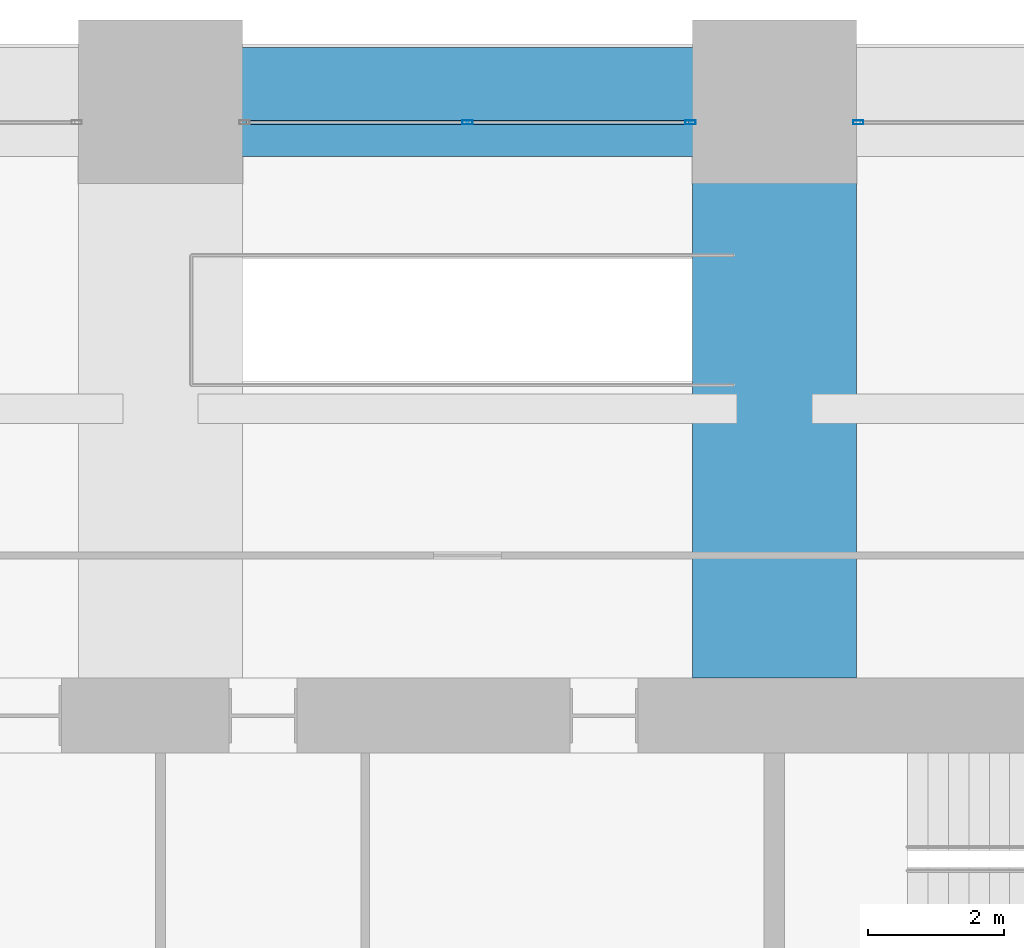
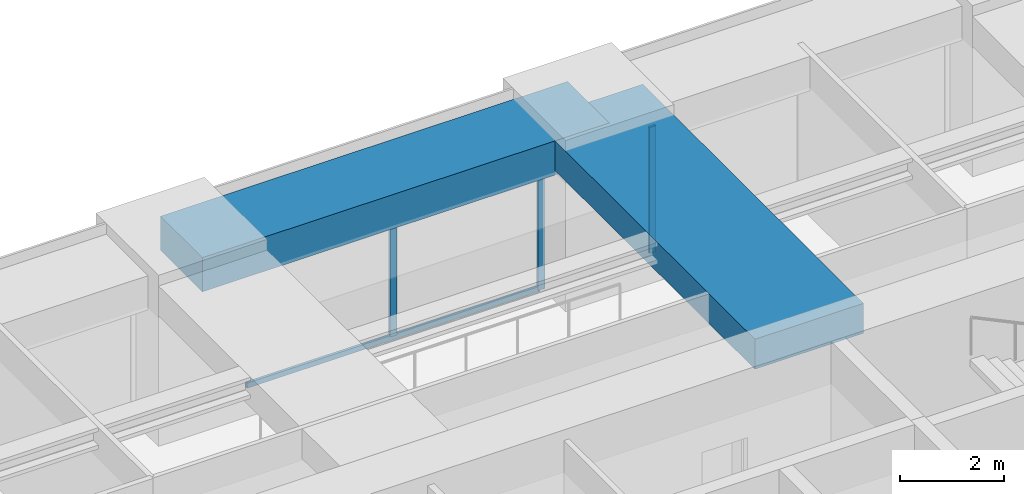
# One storey, part 25 of 35: 4 members, 2 beams, 2 elements without a shape of their own.
"""IFC4 building model written with IfcOpenShell, lengths in metres."""

from ifc_helpers import new_model, si_unit, direction, frame, origin, origin_2d, place, context, subcontext, project, spatial, rectangle, hollow_rectangle, extrude, material, material_profile, profile_set, type_object, element, aggregate, save


model = new_model("IFC4")

# Units and contexts
model_context = context("Model", 3, precision=1e-05, world=origin(), true_north=direction((0.0, 1.0)))
body_context = subcontext(model_context, "Body", "Model", "MODEL_VIEW")
ifc_project = project(units=[si_unit("LENGTHUNIT", "METRE"), si_unit("AREAUNIT", "SQUARE_METRE"), si_unit("VOLUMEUNIT", "CUBIC_METRE"), si_unit("PLANEANGLEUNIT", "RADIAN"), si_unit("MASSUNIT", "GRAM", prefix="KILO")], contexts=[model_context])

# Site, building, storey
site_placement = place(None, origin())
site = spatial("IfcSite", under=ifc_project, at=site_placement, CompositionType="ELEMENT")
building_placement = place(site_placement, origin())
building = spatial("IfcBuilding", under=site, at=building_placement, Name="Zorevar Civic Tower", CompositionType="ELEMENT")
storey_placement = place(building_placement, frame((0.0, 0.0, 218.199951171875)))
storey = spatial("IfcBuildingStorey", under=building, at=storey_placement, Name="L53", CompositionType="ELEMENT", Elevation=218.199951171875)

# Beam
ifc_material_1 = material(Name="Concrete C50/60", Category="concrete")
ifc_material_profile_1 = material_profile(ifc_material_1, rectangle(XDim=2.39990234375, YDim=0.699951171875, at=origin_2d()), Name="RC 2400x700")
ifc_profile_set_1 = profile_set([ifc_material_profile_1], Name="Concrete C50/60")
beam_type_1 = type_object("IfcBeamType", Name="Beam RC 2400x700", PredefinedType="BEAM", material=ifc_profile_set_1)
beam_1_placement = place(storey_placement, frame((36.0, 36.550048828125, 3.400146484375), z_axis=(0.0, 1.0, 0.0), x_axis=(-1.0, 0.0, 0.0)))
element("IfcBeam", 1, at=beam_1_placement, inside=storey, type_object=beam_type_1, Name="Girder L54", PredefinedType="BEAM", context=body_context, shape_type="SweptSolid", body=[
    extrude(rectangle(XDim=2.39990234375, YDim=0.699951171875, at=origin_2d()), origin(), (0.0, 0.0, 1.0), 8.449951171875),
])

# Curtain wall, members
ifc_material_2 = material(Name="Dark grey solar-control glass in black aluminium frame", Category="aluminium")
curtain_wall_type = type_object("IfcCurtainWallType", Name="Curtain wall CW4 high zone", PredefinedType="NOTDEFINED", material=ifc_material_2)
curtain_wall_1_placement = place(storey_placement, origin())
curtain_wall_1 = element("IfcCurtainWall", 2, at=curtain_wall_1_placement, inside=storey, type_object=curtain_wall_type, Name="CW4 L53", PredefinedType="NOTDEFINED")
ifc_material_3 = material(Name="Aluminium, black anodised", Category="aluminium")
ifc_material_profile_2 = material_profile(ifc_material_3, hollow_rectangle(XDim=0.06005859375, YDim=0.14990234375, WallThickness=0.00390625, at=origin_2d()), Name="AL 150x60x4")
ifc_profile_set_2 = profile_set([ifc_material_profile_2], Name="Aluminium, black anodised")
member_type_1 = type_object("IfcMemberType", Name="CW4 mullion AL 150x60x4", PredefinedType="MULLION", material=ifc_profile_set_2)
member_1_placement = place(storey_placement, frame((31.5, 44.699951171875, 0.06005859375), z_axis=(0.0, 0.0, 1.0), x_axis=(0.0, 1.0, 0.0)))
member_1 = element("IfcMember", 3, at=member_1_placement, type_object=member_type_1, Name="CW4 mullion 2", PredefinedType="MULLION", context=body_context, shape_type="SweptSolid", body=[
    extrude(hollow_rectangle(XDim=0.06005859375, YDim=0.14990234375, WallThickness=0.00390625, at=origin_2d()), origin(), (0.0, 0.0, 1.0), 2.889892578125),
])
member_2_placement = place(storey_placement, frame((34.77001953125, 44.699951171875, 0.0), z_axis=(0.0, 0.0, 1.0), x_axis=(0.0, 1.0, 0.0)))
member_2 = element("IfcMember", 4, at=member_2_placement, type_object=member_type_1, Name="CW4 mullion 3", PredefinedType="MULLION", context=body_context, shape_type="SweptSolid", body=[
    extrude(hollow_rectangle(XDim=0.06005859375, YDim=0.14990234375, WallThickness=0.00390625, at=origin_2d()), origin(), (0.0, 0.0, 1.0), 2.949951171875),
])

# Curtain wall, member
curtain_wall_2_placement = place(storey_placement, origin())
curtain_wall_2 = element("IfcCurtainWall", 5, at=curtain_wall_2_placement, inside=storey, type_object=curtain_wall_type, Name="CW4 L53", PredefinedType="NOTDEFINED")
member_3_placement = place(storey_placement, frame((37.22998046875, 44.699951171875, 0.0), z_axis=(0.0, 0.0, 1.0), x_axis=(0.0, 1.0, 0.0)))
member_3 = element("IfcMember", 6, at=member_3_placement, type_object=member_type_1, Name="CW4 mullion 1", PredefinedType="MULLION", context=body_context, shape_type="SweptSolid", body=[
    extrude(hollow_rectangle(XDim=0.06005859375, YDim=0.14990234375, WallThickness=0.00390625, at=origin_2d()), origin(), (0.0, 0.0, 1.0), 2.949951171875),
])
aggregate(curtain_wall_2, [member_3])

# Member
ifc_material_4 = material(Name="Aluminium, black anodised", Category="aluminium")
ifc_material_profile_3 = material_profile(ifc_material_4, hollow_rectangle(XDim=0.06005859375, YDim=0.1201171875, WallThickness=0.0029296875, at=origin_2d()), Name="AL 120x60x3")
ifc_profile_set_3 = profile_set([ifc_material_profile_3], Name="Aluminium, black anodised")
member_type_2 = type_object("IfcMemberType", Name="CW4 transom AL 120x60x3", PredefinedType="USERDEFINED", material=ifc_profile_set_3)
member_4_placement = place(storey_placement, frame((28.260009765625, 44.699951171875, 0.030029296875), z_axis=(1.0, 0.0, 0.0), x_axis=(0.0, 1.0, 0.0)))
member_4 = element("IfcMember", 7, at=member_4_placement, type_object=member_type_2, Name="CW4 sill transom", ObjectType="TRANSOM", PredefinedType="USERDEFINED", context=body_context, shape_type="SweptSolid", body=[
    extrude(hollow_rectangle(XDim=0.06005859375, YDim=0.1201171875, WallThickness=0.0029296875, at=origin_2d()), origin(), (0.0, 0.0, 1.0), 6.47998046875),
])

aggregate(curtain_wall_1, [member_1, member_2, member_4])

# Beam
ifc_material_5 = material(Name="Concrete C50/60", Category="concrete")
ifc_material_profile_4 = material_profile(ifc_material_5, rectangle(XDim=1.60009765625, YDim=0.800048828125, at=origin_2d()), Name="RC 1600x800")
ifc_profile_set_4 = profile_set([ifc_material_profile_4], Name="Concrete C50/60")
beam_type_2 = type_object("IfcBeamType", Name="Edge beam RC 1600x800", PredefinedType="SPANDREL", material=ifc_profile_set_4)
beam_2_placement = place(storey_placement, frame((27.0, 45.0, 3.35009765625), z_axis=(1.0, 0.0, 0.0), x_axis=(0.0, 1.0, 0.0)))
element("IfcBeam", 8, at=beam_2_placement, inside=storey, type_object=beam_type_2, Name="Edge beam L54", PredefinedType="SPANDREL", context=body_context, shape_type="SweptSolid", body=[
    extrude(rectangle(XDim=1.60009765625, YDim=0.800048828125, at=origin_2d()), origin(), (0.0, 0.0, 1.0), 9.0),
])

save(model, "model.ifc")
